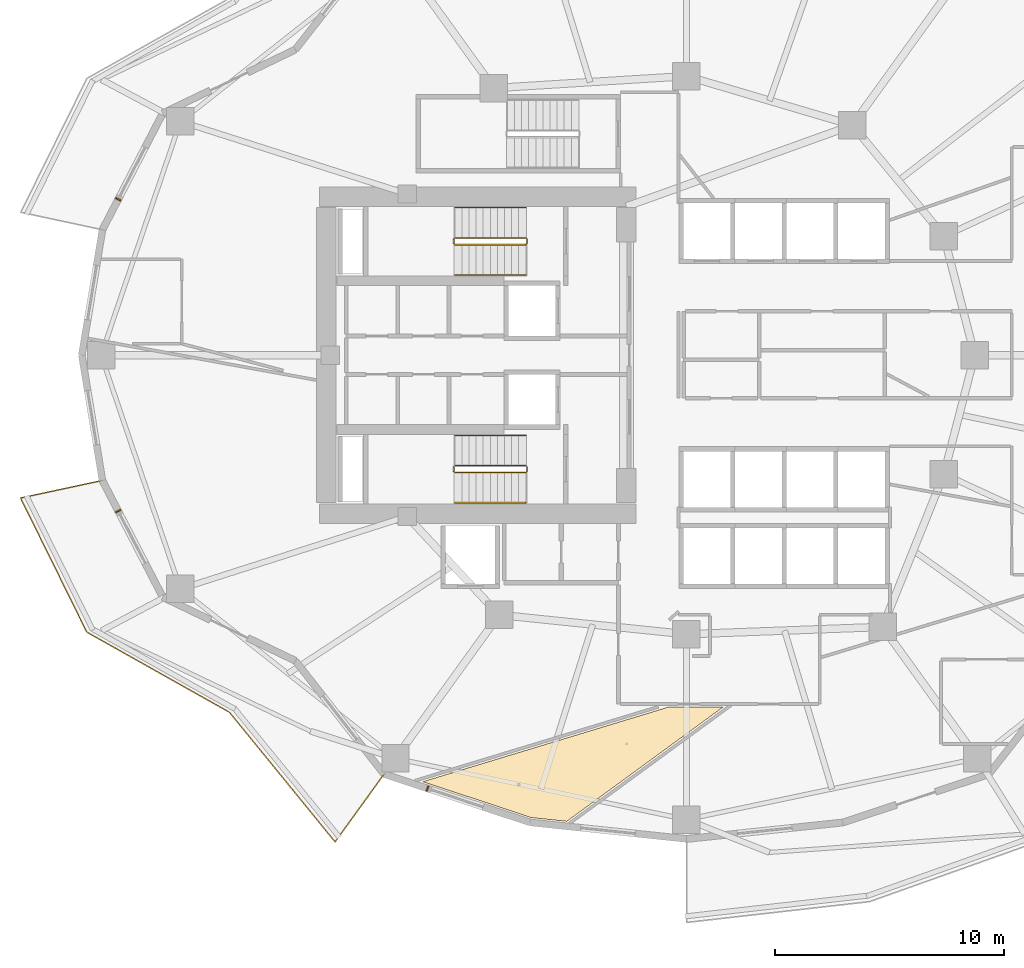
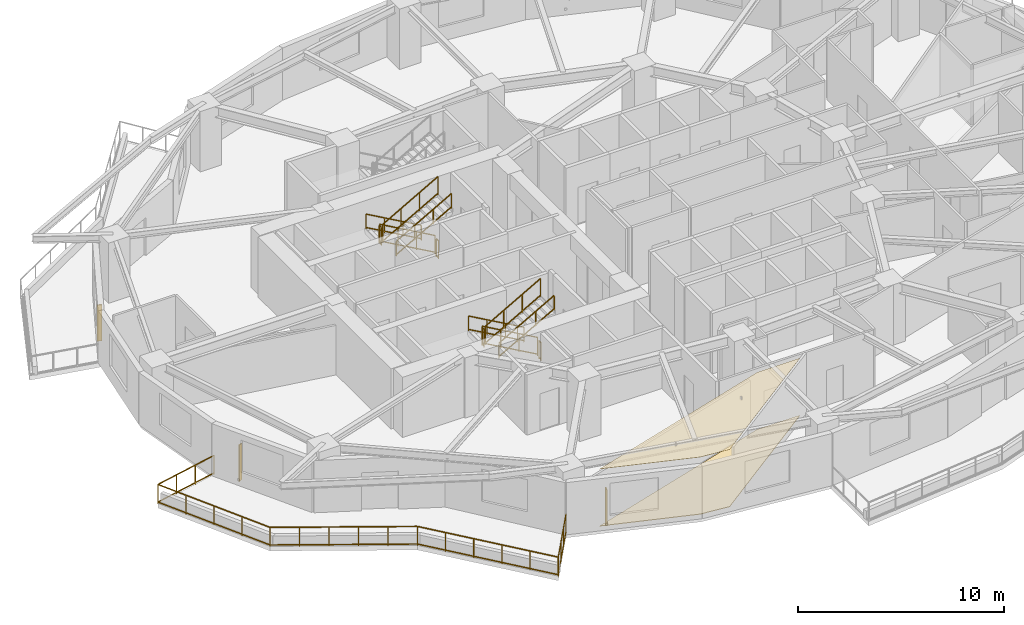
# One storey, part 12 of 15: 13 railings, 3 shading devices, 2 coverings.
"""IFC4 building model written with IfcOpenShell, lengths in metres."""

from ifc_helpers import new_model, si_unit, direction, frame, origin, origin_2d, place, context, subcontext, project, spatial, polyline, rectangle, outline, extrude, material, layer, layer_set, type_object, element, save


model = new_model("IFC4")

# Units and contexts
model_context = context("Model", 3, precision=1e-05, world=origin(), true_north=direction((0.0, 1.0)))
body_context = subcontext(model_context, "Body", "Model", "MODEL_VIEW")
ifc_project = project(units=[si_unit("LENGTHUNIT", "METRE"), si_unit("AREAUNIT", "SQUARE_METRE"), si_unit("VOLUMEUNIT", "CUBIC_METRE"), si_unit("PLANEANGLEUNIT", "RADIAN"), si_unit("MASSUNIT", "GRAM", prefix="KILO")], contexts=[model_context])

# Site, building, storey
site_placement = place(None, origin())
site = spatial("IfcSite", under=ifc_project, at=site_placement, CompositionType="ELEMENT")
building_placement = place(site_placement, origin())
building = spatial("IfcBuilding", under=site, at=building_placement, Name="Kolvaren Gate Tower and Convention Centre", CompositionType="ELEMENT")
storey_placement = place(building_placement, frame((0.0, 0.0, 72.699951171875)))
storey = spatial("IfcBuildingStorey", under=building, at=storey_placement, Name="L17", CompositionType="ELEMENT", Elevation=72.699951171875)

# Coverings
ifc_material_1 = material(Name="Perforated Mineral-Fibre Acoustic Ceiling Tile 18 mm", Category="gypsum")
ifc_layer_1 = layer(ifc_material_1, 0.01806640625)
ifc_layer_set_1 = layer_set([ifc_layer_1], Name="Perforated Mineral-Fibre Acoustic Ceiling Tile 18 mm")
covering_type_1 = type_object("IfcCoveringType", Name="ARCH-COV-CEIL-18", PredefinedType="CEILING", material=ifc_layer_set_1)
covering_1_placement = place(storey_placement, frame((0.0, 0.0, 3.39013671875)))
element("IfcCovering", 1, at=covering_1_placement, inside=storey, type_object=covering_type_1, Name="Legal Chambers Cellular Office Acoustic Suspended Ceiling", PredefinedType="CEILING", context=body_context, shape_type="SweptSolid", body=[
    extrude(outline(polyline([(24.89501953125, 6.6220703125), (23.3291015625, 6.787109375), (18.59912109375, 8.35400390625), (29.31689453125, 11.610107421875), (31.716064453125, 11.610107421875), (24.89501953125, 6.6220703125)])), origin(), (0.0, 0.0, 1.0), 0.017822265625),
])
ifc_material_2 = material(Name="Honed Sabana Limestone Terrazzo Flooring 30 mm", Category="masonry")
ifc_layer_2 = layer(ifc_material_2, 0.030029296875)
ifc_layer_set_2 = layer_set([ifc_layer_2], Name="Honed Sabana Limestone Terrazzo Flooring 30 mm")
covering_type_2 = type_object("IfcCoveringType", Name="ARCH-COV-FLR-30", PredefinedType="FLOORING", material=ifc_layer_set_2)
covering_2_placement = place(storey_placement, origin())
element("IfcCovering", 2, at=covering_2_placement, inside=storey, type_object=covering_type_2, Name="Legal Chambers Cellular Office Interior Finish Flooring", PredefinedType="FLOORING", context=body_context, shape_type="SweptSolid", body=[
    extrude(outline(polyline([(24.89501953125, 6.6220703125), (23.3291015625, 6.787109375), (18.59912109375, 8.35400390625), (29.31689453125, 11.610107421875), (31.716064453125, 11.610107421875), (24.89501953125, 6.6220703125)])), origin(), (0.0, 0.0, 1.0), 0.030029296875),
])

# Railings
ifc_material_3 = material(Name="Brushed Stainless Steel Grade 316L", Category="steel")
railing_type_1 = type_object("IfcRailingType", Name="ARCH-RL-GUARD-1150", PredefinedType="GUARDRAIL", material=ifc_material_3)
railing_1_placement = place(storey_placement, frame((23.10009765625, 32.1298828125, 0.175048828125)))
element("IfcRailing", 3, at=railing_1_placement, inside=storey, type_object=railing_type_1, Name="L17 ST-T1 stair guard 1", PredefinedType="GUARDRAIL", context=body_context, shape_type="SweptSolid", body=[
    extrude(rectangle(XDim=0.048095703125, YDim=0.048095703125, at=origin_2d()), frame((0.0, 0.0, 1.076171875), z_axis=(-0.870830938388, 0.0, 0.491582624537), x_axis=(0.0, -1.0, 0.0)), (0.0, 0.0, 1.0), 3.559814453125),
    extrude(rectangle(XDim=0.048095703125, YDim=0.048095703125, at=origin_2d()), frame((0.0, 0.0, 0.083984375), z_axis=(-0.870830938388, 0.0, 0.491582624537), x_axis=(0.0, -1.0, 0.0)), (0.0, 0.0, 1.0), 3.559814453125),
    extrude(rectangle(XDim=0.0419921875, YDim=0.0419921875, at=origin_2d()), origin(), (0.0, 0.0, 1.0), 1.050048828125),
    extrude(rectangle(XDim=0.0419921875, YDim=0.0419921875, at=origin_2d()), frame((-3.10009765625, 0.0, 1.75)), (0.0, 0.0, 1.0), 1.050048828125),
    extrude(rectangle(XDim=0.0419921875, YDim=0.0419921875, at=origin_2d()), frame((-1.033447265625, 0.0, 0.583251953125)), (0.0, 0.0, 1.0), 1.050048828125),
    extrude(rectangle(XDim=0.0419921875, YDim=0.0419921875, at=origin_2d()), frame((-2.066650390625, 0.0, 1.166748046875)), (0.0, 0.0, 1.0), 1.050048828125),
])
railing_2_placement = place(storey_placement, frame((19.949951171875, 32.080078125, 1.925048828125)))
element("IfcRailing", 4, at=railing_2_placement, inside=storey, type_object=railing_type_1, Name="L17 ST-T1 stair guard 2", PredefinedType="GUARDRAIL", context=body_context, shape_type="SweptSolid", body=[
    extrude(rectangle(XDim=0.048095703125, YDim=0.048095703125, at=origin_2d()), frame((0.0, 0.0, 1.076171875), z_axis=(0.0, -1.0, 0.0), x_axis=(1.0, 0.0, 0.0)), (0.0, 0.0, 1.0), 0.2001953125),
    extrude(rectangle(XDim=0.048095703125, YDim=0.048095703125, at=origin_2d()), frame((0.0, 0.0, 0.083984375), z_axis=(0.0, -1.0, 0.0), x_axis=(1.0, 0.0, 0.0)), (0.0, 0.0, 1.0), 0.2001953125),
    extrude(rectangle(XDim=0.0419921875, YDim=0.0419921875, at=origin_2d()), origin(), (0.0, 0.0, 1.0), 1.050048828125),
    extrude(rectangle(XDim=0.0419921875, YDim=0.0419921875, at=origin_2d()), frame((0.0, -0.2001953125, 0.0)), (0.0, 0.0, 1.0), 1.050048828125),
])
railing_3_placement = place(storey_placement, frame((20.0, 31.830078125, 2.10009765625)))
element("IfcRailing", 5, at=railing_3_placement, inside=storey, type_object=railing_type_1, Name="L17 ST-T1 stair guard 3", PredefinedType="GUARDRAIL", context=body_context, shape_type="SweptSolid", body=[
    extrude(rectangle(XDim=0.048095703125, YDim=0.048095703125, at=origin_2d()), frame((0.0, 0.0, 1.076171875), z_axis=(0.870830938388, 0.0, 0.491582624537), x_axis=(0.0, 1.0, 0.0)), (0.0, 0.0, 1.0), 3.559814453125),
    extrude(rectangle(XDim=0.048095703125, YDim=0.048095703125, at=origin_2d()), frame((0.0, 0.0, 0.083984375), z_axis=(0.870830938388, 0.0, 0.491582624537), x_axis=(0.0, 1.0, 0.0)), (0.0, 0.0, 1.0), 3.559814453125),
    extrude(rectangle(XDim=0.0419921875, YDim=0.0419921875, at=origin_2d()), origin(), (0.0, 0.0, 1.0), 1.050048828125),
    extrude(rectangle(XDim=0.0419921875, YDim=0.0419921875, at=origin_2d()), frame((3.10009765625, 0.0, 1.75)), (0.0, 0.0, 1.0), 1.050048828125),
    extrude(rectangle(XDim=0.0419921875, YDim=0.0419921875, at=origin_2d()), frame((1.033447265625, 0.0, 0.583251953125)), (0.0, 0.0, 1.0), 1.050048828125),
    extrude(rectangle(XDim=0.0419921875, YDim=0.0419921875, at=origin_2d()), frame((2.066650390625, 0.0, 1.166748046875)), (0.0, 0.0, 1.0), 1.050048828125),
])
railing_4_placement = place(storey_placement, frame((23.14990234375, 32.080078125, 0.0)))
element("IfcRailing", 6, at=railing_4_placement, inside=storey, type_object=railing_type_1, Name="L17 ST-T1 stair guard 4", PredefinedType="GUARDRAIL", context=body_context, shape_type="SweptSolid", body=[
    extrude(rectangle(XDim=0.048095703125, YDim=0.048095703125, at=origin_2d()), frame((0.0, 0.0, 1.076171875), z_axis=(0.0, -1.0, 0.0), x_axis=(1.0, 0.0, 0.0)), (0.0, 0.0, 1.0), 0.2001953125),
    extrude(rectangle(XDim=0.048095703125, YDim=0.048095703125, at=origin_2d()), frame((0.0, 0.0, 0.083984375), z_axis=(0.0, -1.0, 0.0), x_axis=(1.0, 0.0, 0.0)), (0.0, 0.0, 1.0), 0.2001953125),
    extrude(rectangle(XDim=0.0419921875, YDim=0.0419921875, at=origin_2d()), origin(), (0.0, 0.0, 1.0), 1.050048828125),
    extrude(rectangle(XDim=0.0419921875, YDim=0.0419921875, at=origin_2d()), frame((0.0, -0.2001953125, 0.0)), (0.0, 0.0, 1.0), 1.050048828125),
])
railing_5_placement = place(storey_placement, frame((23.10009765625, 22.169921875, 0.175048828125)))
element("IfcRailing", 7, at=railing_5_placement, inside=storey, type_object=railing_type_1, Name="L17 ST-T2 stair guard 1", PredefinedType="GUARDRAIL", context=body_context, shape_type="SweptSolid", body=[
    extrude(rectangle(XDim=0.048095703125, YDim=0.048095703125, at=origin_2d()), frame((0.0, 0.0, 1.076171875), z_axis=(-0.870830938388, 0.0, 0.491582624537), x_axis=(0.0, -1.0, 0.0)), (0.0, 0.0, 1.0), 3.559814453125),
    extrude(rectangle(XDim=0.048095703125, YDim=0.048095703125, at=origin_2d()), frame((0.0, 0.0, 0.083984375), z_axis=(-0.870830938388, 0.0, 0.491582624537), x_axis=(0.0, -1.0, 0.0)), (0.0, 0.0, 1.0), 3.559814453125),
    extrude(rectangle(XDim=0.0419921875, YDim=0.0419921875, at=origin_2d()), origin(), (0.0, 0.0, 1.0), 1.050048828125),
    extrude(rectangle(XDim=0.0419921875, YDim=0.0419921875, at=origin_2d()), frame((-3.10009765625, 0.0, 1.75)), (0.0, 0.0, 1.0), 1.050048828125),
    extrude(rectangle(XDim=0.0419921875, YDim=0.0419921875, at=origin_2d()), frame((-1.033447265625, 0.0, 0.583251953125)), (0.0, 0.0, 1.0), 1.050048828125),
    extrude(rectangle(XDim=0.0419921875, YDim=0.0419921875, at=origin_2d()), frame((-2.066650390625, 0.0, 1.166748046875)), (0.0, 0.0, 1.0), 1.050048828125),
])
railing_6_placement = place(storey_placement, frame((19.949951171875, 22.1201171875, 1.925048828125)))
element("IfcRailing", 8, at=railing_6_placement, inside=storey, type_object=railing_type_1, Name="L17 ST-T2 stair guard 2", PredefinedType="GUARDRAIL", context=body_context, shape_type="SweptSolid", body=[
    extrude(rectangle(XDim=0.048095703125, YDim=0.048095703125, at=origin_2d()), frame((0.0, 0.0, 1.076171875), z_axis=(0.0, -1.0, 0.0), x_axis=(1.0, 0.0, 0.0)), (0.0, 0.0, 1.0), 0.2001953125),
    extrude(rectangle(XDim=0.048095703125, YDim=0.048095703125, at=origin_2d()), frame((0.0, 0.0, 0.083984375), z_axis=(0.0, -1.0, 0.0), x_axis=(1.0, 0.0, 0.0)), (0.0, 0.0, 1.0), 0.2001953125),
    extrude(rectangle(XDim=0.0419921875, YDim=0.0419921875, at=origin_2d()), origin(), (0.0, 0.0, 1.0), 1.050048828125),
    extrude(rectangle(XDim=0.0419921875, YDim=0.0419921875, at=origin_2d()), frame((0.0, -0.2001953125, 0.0)), (0.0, 0.0, 1.0), 1.050048828125),
])
railing_7_placement = place(storey_placement, frame((20.0, 21.8701171875, 2.10009765625)))
element("IfcRailing", 9, at=railing_7_placement, inside=storey, type_object=railing_type_1, Name="L17 ST-T2 stair guard 3", PredefinedType="GUARDRAIL", context=body_context, shape_type="SweptSolid", body=[
    extrude(rectangle(XDim=0.048095703125, YDim=0.048095703125, at=origin_2d()), frame((0.0, 0.0, 1.076171875), z_axis=(0.870830938388, 0.0, 0.491582624537), x_axis=(0.0, 1.0, 0.0)), (0.0, 0.0, 1.0), 3.559814453125),
    extrude(rectangle(XDim=0.048095703125, YDim=0.048095703125, at=origin_2d()), frame((0.0, 0.0, 0.083984375), z_axis=(0.870830938388, 0.0, 0.491582624537), x_axis=(0.0, 1.0, 0.0)), (0.0, 0.0, 1.0), 3.559814453125),
    extrude(rectangle(XDim=0.0419921875, YDim=0.0419921875, at=origin_2d()), origin(), (0.0, 0.0, 1.0), 1.050048828125),
    extrude(rectangle(XDim=0.0419921875, YDim=0.0419921875, at=origin_2d()), frame((3.10009765625, 0.0, 1.75)), (0.0, 0.0, 1.0), 1.050048828125),
    extrude(rectangle(XDim=0.0419921875, YDim=0.0419921875, at=origin_2d()), frame((1.033447265625, 0.0, 0.583251953125)), (0.0, 0.0, 1.0), 1.050048828125),
    extrude(rectangle(XDim=0.0419921875, YDim=0.0419921875, at=origin_2d()), frame((2.066650390625, 0.0, 1.166748046875)), (0.0, 0.0, 1.0), 1.050048828125),
])
railing_8_placement = place(storey_placement, frame((23.14990234375, 22.1201171875, 0.0)))
element("IfcRailing", 10, at=railing_8_placement, inside=storey, type_object=railing_type_1, Name="L17 ST-T2 stair guard 4", PredefinedType="GUARDRAIL", context=body_context, shape_type="SweptSolid", body=[
    extrude(rectangle(XDim=0.048095703125, YDim=0.048095703125, at=origin_2d()), frame((0.0, 0.0, 1.076171875), z_axis=(0.0, -1.0, 0.0), x_axis=(1.0, 0.0, 0.0)), (0.0, 0.0, 1.0), 0.2001953125),
    extrude(rectangle(XDim=0.048095703125, YDim=0.048095703125, at=origin_2d()), frame((0.0, 0.0, 0.083984375), z_axis=(0.0, -1.0, 0.0), x_axis=(1.0, 0.0, 0.0)), (0.0, 0.0, 1.0), 0.2001953125),
    extrude(rectangle(XDim=0.0419921875, YDim=0.0419921875, at=origin_2d()), origin(), (0.0, 0.0, 1.0), 1.050048828125),
    extrude(rectangle(XDim=0.0419921875, YDim=0.0419921875, at=origin_2d()), frame((0.0, -0.2001953125, 0.0)), (0.0, 0.0, 1.0), 1.050048828125),
])
railing_9_placement = place(storey_placement, frame((4.58837890625, 21.52587890625, 0.0)))
element("IfcRailing", 11, at=railing_9_placement, inside=storey, type_object=railing_type_1, Name="Tower L17 Terrace Perimeter Guardrail GR-2", PredefinedType="GUARDRAIL", context=body_context, shape_type="SweptSolid", body=[
    extrude(rectangle(XDim=0.048095703125, YDim=0.048095703125, at=origin_2d()), frame((-0.02734375, -0.005859375, 1.1259765625), z_axis=(-0.977791675321, -0.209579196661, 0.0), x_axis=(0.209579196661, -0.977791675321, 0.0)), (0.0, 0.0, 1.0), 3.60400390625),
    extrude(rectangle(XDim=0.048095703125, YDim=0.048095703125, at=origin_2d()), frame((-0.02734375, -0.005859375, 0.083984375), z_axis=(-0.977791675321, -0.209579196661, 0.0), x_axis=(0.209579196661, -0.977791675321, 0.0)), (0.0, 0.0, 1.0), 3.60400390625),
    extrude(rectangle(XDim=0.048095703125, YDim=0.048095703125, at=origin_2d()), frame((-3.56640625, -0.792236328125, 1.1259765625), z_axis=(0.442686636348, -0.89667638644, 0.0), x_axis=(0.89667638644, 0.442686636348, 0.0)), (0.0, 0.0, 1.0), 6.488525390625),
    extrude(rectangle(XDim=0.048095703125, YDim=0.048095703125, at=origin_2d()), frame((-3.56640625, -0.792236328125, 0.083984375), z_axis=(0.442686636348, -0.89667638644, 0.0), x_axis=(0.89667638644, 0.442686636348, 0.0)), (0.0, 0.0, 1.0), 6.488525390625),
    extrude(rectangle(XDim=0.048095703125, YDim=0.048095703125, at=origin_2d()), frame((-0.6572265625, -6.649169921875, 1.1259765625), z_axis=(0.871783301661, -0.489891697159, 0.0), x_axis=(0.489891697159, 0.871783301661, 0.0)), (0.0, 0.0, 1.0), 7.096435546875),
    extrude(rectangle(XDim=0.048095703125, YDim=0.048095703125, at=origin_2d()), frame((-0.6572265625, -6.649169921875, 0.083984375), z_axis=(0.871783301661, -0.489891697159, 0.0), x_axis=(0.489891697159, 0.871783301661, 0.0)), (0.0, 0.0, 1.0), 7.096435546875),
    extrude(rectangle(XDim=0.048095703125, YDim=0.048095703125, at=origin_2d()), frame((5.571533203125, -10.1611328125, 1.1259765625), z_axis=(0.631819273026, -0.775115737315, 0.0), x_axis=(0.775115737315, 0.631819273026, 0.0)), (0.0, 0.0, 1.0), 7.259765625),
    extrude(rectangle(XDim=0.048095703125, YDim=0.048095703125, at=origin_2d()), frame((5.571533203125, -10.1611328125, 0.083984375), z_axis=(0.631819273026, -0.775115737315, 0.0), x_axis=(0.775115737315, 0.631819273026, 0.0)), (0.0, 0.0, 1.0), 7.259765625),
    extrude(rectangle(XDim=0.048095703125, YDim=0.048095703125, at=origin_2d()), frame((10.1923828125, -15.787353515625, 1.1259765625), z_axis=(0.585212870465, 0.810879705161, 0.0), x_axis=(-0.810879705161, 0.585212870465, 0.0)), (0.0, 0.0, 1.0), 3.603759765625),
    extrude(rectangle(XDim=0.048095703125, YDim=0.048095703125, at=origin_2d()), frame((10.1923828125, -15.787353515625, 0.083984375), z_axis=(0.585212870465, 0.810879705161, 0.0), x_axis=(-0.810879705161, 0.585212870465, 0.0)), (0.0, 0.0, 1.0), 3.603759765625),
    extrude(rectangle(XDim=0.0419921875, YDim=0.0419921875, at=origin_2d()), origin(), (0.0, 0.0, 1.0), 1.14990234375),
    extrude(rectangle(XDim=0.0419921875, YDim=0.0419921875, at=origin_2d()), frame((-3.578857421875, -0.76708984375, 0.0)), (0.0, 0.0, 1.0), 1.14990234375),
    extrude(rectangle(XDim=0.0419921875, YDim=0.0419921875, at=origin_2d()), frame((-1.19287109375, -0.255615234375, 0.0)), (0.0, 0.0, 1.0), 1.099853515625),
    extrude(rectangle(XDim=0.0419921875, YDim=0.0419921875, at=origin_2d()), frame((-2.385986328125, -0.511474609375, 0.0)), (0.0, 0.0, 1.0), 1.099853515625),
    extrude(rectangle(XDim=0.0419921875, YDim=0.0419921875, at=origin_2d()), frame((-0.681640625, -6.635498046875, 0.0)), (0.0, 0.0, 1.0), 1.14990234375),
    extrude(rectangle(XDim=0.0419921875, YDim=0.0419921875, at=origin_2d()), frame((-2.8544921875, -2.234130859375, 0.0)), (0.0, 0.0, 1.0), 1.099853515625),
    extrude(rectangle(XDim=0.0419921875, YDim=0.0419921875, at=origin_2d()), frame((-2.13037109375, -3.701171875, 0.0)), (0.0, 0.0, 1.0), 1.099853515625),
    extrude(rectangle(XDim=0.0419921875, YDim=0.0419921875, at=origin_2d()), frame((-1.406005859375, -5.16845703125, 0.0)), (0.0, 0.0, 1.0), 1.099853515625),
    extrude(rectangle(XDim=0.0419921875, YDim=0.0419921875, at=origin_2d()), frame((5.5537109375, -10.139404296875, 0.0)), (0.0, 0.0, 1.0), 1.14990234375),
    extrude(rectangle(XDim=0.0419921875, YDim=0.0419921875, at=origin_2d()), frame((0.5654296875, -7.336181640625, 0.0)), (0.0, 0.0, 1.0), 1.099853515625),
    extrude(rectangle(XDim=0.0419921875, YDim=0.0419921875, at=origin_2d()), frame((1.8125, -8.037109375, 0.0)), (0.0, 0.0, 1.0), 1.099853515625),
    extrude(rectangle(XDim=0.0419921875, YDim=0.0419921875, at=origin_2d()), frame((3.0595703125, -8.73779296875, 0.0)), (0.0, 0.0, 1.0), 1.099853515625),
    extrude(rectangle(XDim=0.0419921875, YDim=0.0419921875, at=origin_2d()), frame((4.306640625, -9.438720703125, 0.0)), (0.0, 0.0, 1.0), 1.099853515625),
    extrude(rectangle(XDim=0.0419921875, YDim=0.0419921875, at=origin_2d()), frame((10.176025390625, -15.81005859375, 0.0)), (0.0, 0.0, 1.0), 1.14990234375),
    extrude(rectangle(XDim=0.0419921875, YDim=0.0419921875, at=origin_2d()), frame((6.478271484375, -11.2734375, 0.0)), (0.0, 0.0, 1.0), 1.099853515625),
    extrude(rectangle(XDim=0.0419921875, YDim=0.0419921875, at=origin_2d()), frame((7.402587890625, -12.40771484375, 0.0)), (0.0, 0.0, 1.0), 1.099853515625),
    extrude(rectangle(XDim=0.0419921875, YDim=0.0419921875, at=origin_2d()), frame((8.3271484375, -13.541748046875, 0.0)), (0.0, 0.0, 1.0), 1.099853515625),
    extrude(rectangle(XDim=0.0419921875, YDim=0.0419921875, at=origin_2d()), frame((9.25146484375, -14.676025390625, 0.0)), (0.0, 0.0, 1.0), 1.099853515625),
    extrude(rectangle(XDim=0.0419921875, YDim=0.0419921875, at=origin_2d()), frame((12.31787109375, -12.84228515625, 0.0)), (0.0, 0.0, 1.0), 1.14990234375),
    extrude(rectangle(XDim=0.0419921875, YDim=0.0419921875, at=origin_2d()), frame((10.889892578125, -14.82080078125, 0.0)), (0.0, 0.0, 1.0), 1.099853515625),
    extrude(rectangle(XDim=0.0419921875, YDim=0.0419921875, at=origin_2d()), frame((11.60400390625, -13.83154296875, 0.0)), (0.0, 0.0, 1.0), 1.099853515625),
])
railing_type_2 = type_object("IfcRailingType", Name="ARCH-RL-HANDRAIL-920", PredefinedType="HANDRAIL", material=ifc_material_3)
railing_10_placement = place(storey_placement, frame((23.10009765625, 33.449951171875, 0.175048828125)))
element("IfcRailing", 12, at=railing_10_placement, inside=storey, type_object=railing_type_2, Name="L17 ST-T1 stair handrail 1", PredefinedType="HANDRAIL", context=body_context, shape_type="SweptSolid", body=[
    extrude(rectangle(XDim=0.048095703125, YDim=0.048095703125, at=origin_2d()), frame((0.0, 0.0, 0.8759765625), z_axis=(-0.870830938388, 0.0, 0.491582624537), x_axis=(0.0, -1.0, 0.0)), (0.0, 0.0, 1.0), 3.559814453125),
    extrude(rectangle(XDim=0.048095703125, YDim=0.048095703125, at=origin_2d()), frame((0.0, 0.0, 0.083984375), z_axis=(-0.870830938388, 0.0, 0.491582624537), x_axis=(0.0, -1.0, 0.0)), (0.0, 0.0, 1.0), 3.559814453125),
    extrude(rectangle(XDim=0.0419921875, YDim=0.0419921875, at=origin_2d()), origin(), (0.0, 0.0, 1.0), 0.849853515625),
    extrude(rectangle(XDim=0.0419921875, YDim=0.0419921875, at=origin_2d()), frame((-3.10009765625, 0.0, 1.75)), (0.0, 0.0, 1.0), 0.849853515625),
    extrude(rectangle(XDim=0.0419921875, YDim=0.0419921875, at=origin_2d()), frame((-1.033447265625, 0.0, 0.583251953125)), (0.0, 0.0, 1.0), 0.849853515625),
    extrude(rectangle(XDim=0.0419921875, YDim=0.0419921875, at=origin_2d()), frame((-2.066650390625, 0.0, 1.166748046875)), (0.0, 0.0, 1.0), 0.849853515625),
])
railing_11_placement = place(storey_placement, frame((20.0, 30.510009765625, 2.10009765625)))
element("IfcRailing", 13, at=railing_11_placement, inside=storey, type_object=railing_type_2, Name="L17 ST-T1 stair handrail 2", PredefinedType="HANDRAIL", context=body_context, shape_type="SweptSolid", body=[
    extrude(rectangle(XDim=0.048095703125, YDim=0.048095703125, at=origin_2d()), frame((0.0, 0.0, 0.8759765625), z_axis=(0.870830938388, 0.0, 0.491582624537), x_axis=(0.0, 1.0, 0.0)), (0.0, 0.0, 1.0), 3.559814453125),
    extrude(rectangle(XDim=0.048095703125, YDim=0.048095703125, at=origin_2d()), frame((0.0, 0.0, 0.083984375), z_axis=(0.870830938388, 0.0, 0.491582624537), x_axis=(0.0, 1.0, 0.0)), (0.0, 0.0, 1.0), 3.559814453125),
    extrude(rectangle(XDim=0.0419921875, YDim=0.0419921875, at=origin_2d()), origin(), (0.0, 0.0, 1.0), 0.849853515625),
    extrude(rectangle(XDim=0.0419921875, YDim=0.0419921875, at=origin_2d()), frame((3.10009765625, 0.0, 1.75)), (0.0, 0.0, 1.0), 0.849853515625),
    extrude(rectangle(XDim=0.0419921875, YDim=0.0419921875, at=origin_2d()), frame((1.033447265625, 0.0, 0.583251953125)), (0.0, 0.0, 1.0), 0.849853515625),
    extrude(rectangle(XDim=0.0419921875, YDim=0.0419921875, at=origin_2d()), frame((2.066650390625, 0.0, 1.166748046875)), (0.0, 0.0, 1.0), 0.849853515625),
])
railing_12_placement = place(storey_placement, frame((23.10009765625, 23.489990234375, 0.175048828125)))
element("IfcRailing", 14, at=railing_12_placement, inside=storey, type_object=railing_type_2, Name="L17 ST-T2 stair handrail 1", PredefinedType="HANDRAIL", context=body_context, shape_type="SweptSolid", body=[
    extrude(rectangle(XDim=0.048095703125, YDim=0.048095703125, at=origin_2d()), frame((0.0, 0.0, 0.8759765625), z_axis=(-0.870830938388, 0.0, 0.491582624537), x_axis=(0.0, -1.0, 0.0)), (0.0, 0.0, 1.0), 3.559814453125),
    extrude(rectangle(XDim=0.048095703125, YDim=0.048095703125, at=origin_2d()), frame((0.0, 0.0, 0.083984375), z_axis=(-0.870830938388, 0.0, 0.491582624537), x_axis=(0.0, -1.0, 0.0)), (0.0, 0.0, 1.0), 3.559814453125),
    extrude(rectangle(XDim=0.0419921875, YDim=0.0419921875, at=origin_2d()), origin(), (0.0, 0.0, 1.0), 0.849853515625),
    extrude(rectangle(XDim=0.0419921875, YDim=0.0419921875, at=origin_2d()), frame((-3.10009765625, 0.0, 1.75)), (0.0, 0.0, 1.0), 0.849853515625),
    extrude(rectangle(XDim=0.0419921875, YDim=0.0419921875, at=origin_2d()), frame((-1.033447265625, 0.0, 0.583251953125)), (0.0, 0.0, 1.0), 0.849853515625),
    extrude(rectangle(XDim=0.0419921875, YDim=0.0419921875, at=origin_2d()), frame((-2.066650390625, 0.0, 1.166748046875)), (0.0, 0.0, 1.0), 0.849853515625),
])
railing_13_placement = place(storey_placement, frame((20.0, 20.550048828125, 2.10009765625)))
element("IfcRailing", 15, at=railing_13_placement, inside=storey, type_object=railing_type_2, Name="L17 ST-T2 stair handrail 2", PredefinedType="HANDRAIL", context=body_context, shape_type="SweptSolid", body=[
    extrude(rectangle(XDim=0.048095703125, YDim=0.048095703125, at=origin_2d()), frame((0.0, 0.0, 0.8759765625), z_axis=(0.870830938388, 0.0, 0.491582624537), x_axis=(0.0, 1.0, 0.0)), (0.0, 0.0, 1.0), 3.559814453125),
    extrude(rectangle(XDim=0.048095703125, YDim=0.048095703125, at=origin_2d()), frame((0.0, 0.0, 0.083984375), z_axis=(0.870830938388, 0.0, 0.491582624537), x_axis=(0.0, 1.0, 0.0)), (0.0, 0.0, 1.0), 3.559814453125),
    extrude(rectangle(XDim=0.0419921875, YDim=0.0419921875, at=origin_2d()), origin(), (0.0, 0.0, 1.0), 0.849853515625),
    extrude(rectangle(XDim=0.0419921875, YDim=0.0419921875, at=origin_2d()), frame((3.10009765625, 0.0, 1.75)), (0.0, 0.0, 1.0), 0.849853515625),
    extrude(rectangle(XDim=0.0419921875, YDim=0.0419921875, at=origin_2d()), frame((1.033447265625, 0.0, 0.583251953125)), (0.0, 0.0, 1.0), 0.849853515625),
    extrude(rectangle(XDim=0.0419921875, YDim=0.0419921875, at=origin_2d()), frame((2.066650390625, 0.0, 1.166748046875)), (0.0, 0.0, 1.0), 0.849853515625),
])

# Shading devices
ifc_material_4 = material(Name="Kiln-Fired Bogota Terracotta Ceramic Louvre Profile", Category="masonry")
shading_device_type = type_object("IfcShadingDeviceType", Name="ARCH-SHD-FIN-180", PredefinedType="JALOUSIE", material=ifc_material_4)
for number, where, z_axis, x_axis, name in (
    (16, (5.283447265625, 33.816650390625, 0.22021484375), (0.0, 0.0, 1.0), (0.45980150925, 0.888021718254, 0.0), "Ceramic Vertical Brise-Soleil Fin FN-L17-10"),
    (17, (5.283447265625, 20.183349609375, 0.22021484375), (0.0, 0.0, 1.0), (0.45980150925, -0.888021718254, 0.0), "Ceramic Vertical Brise-Soleil Fin FN-L17-13"),
    (18, (18.8037109375, 8.0546875, 0.22021484375), (0.0, 0.0, 1.0), (0.949241728595, -0.314547517385, 0.0), "Ceramic Vertical Brise-Soleil Fin FN-L17-16"),
):
    element("IfcShadingDevice", number, at=place(storey_placement, frame(where, z_axis=z_axis, x_axis=x_axis)), inside=storey, type_object=shading_device_type, Name=name, PredefinedType="JALOUSIE", context=body_context, shape_type="SweptSolid", body=[
        extrude(rectangle(XDim=0.06005859375, YDim=0.239990234375, at=origin_2d()), origin(), (0.0, 0.0, 1.0), 2.14990234375),
    ])

save(model, "model.ifc")
